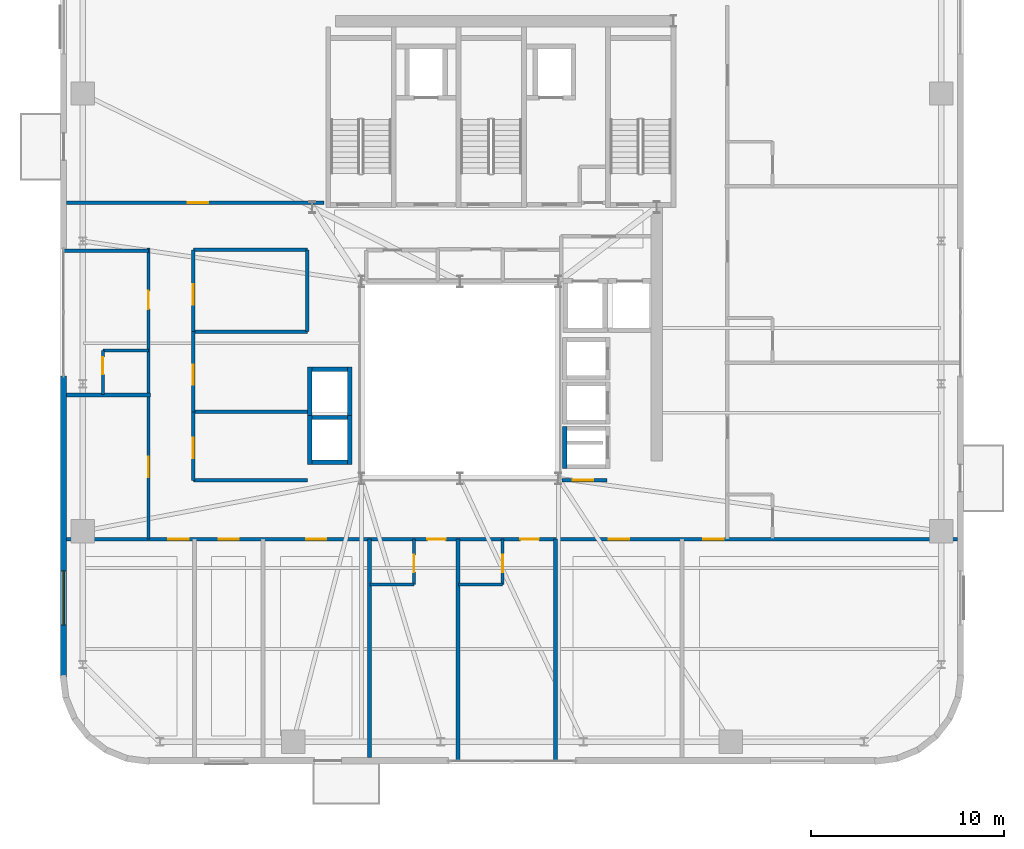
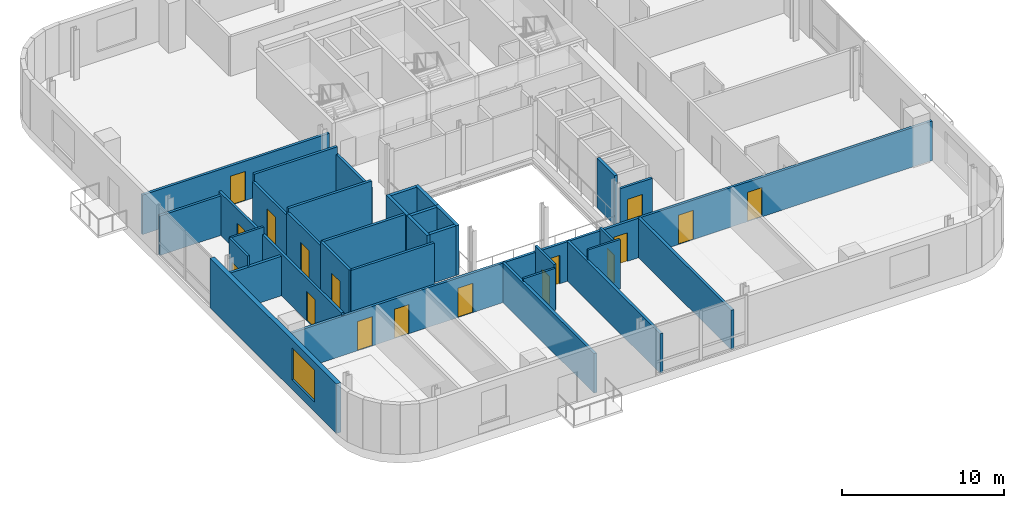
# One storey, part 8 of 15: 32 walls, 17 doors, 1 window, 18 openings.
"""IFC4 building model written with IfcOpenShell, lengths in metres."""

from ifc_helpers import new_model, si_unit, direction, frame, frame_2d, origin, place, context, subcontext, project, spatial, rectangle, extrude, source, transform, mapped, material, layer, layer_set, type_object, element, fill, save


model = new_model("IFC4")

# Units and contexts
model_context = context("Model", 3, precision=1e-05, world=origin(), true_north=direction((0.0, 1.0)))
body_context = subcontext(model_context, "Body", "Model", "MODEL_VIEW")
ifc_project = project(units=[si_unit("LENGTHUNIT", "METRE"), si_unit("AREAUNIT", "SQUARE_METRE"), si_unit("VOLUMEUNIT", "CUBIC_METRE"), si_unit("PLANEANGLEUNIT", "RADIAN"), si_unit("MASSUNIT", "GRAM", prefix="KILO")], contexts=[model_context])

# Site, building, storey
site_placement = place(None, origin())
site = spatial("IfcSite", under=ifc_project, at=site_placement, CompositionType="ELEMENT")
building_placement = place(site_placement, origin())
building = spatial("IfcBuilding", under=site, at=building_placement, Name="Vardaveli Station Tower", CompositionType="ELEMENT")
storey_placement = place(building_placement, frame((0.0, 0.0, 242.699951171875)))
storey = spatial("IfcBuildingStorey", under=building, at=storey_placement, Name="L62", CompositionType="ELEMENT", Elevation=242.699951171875)

# Wall, opening, window
ifc_material_1 = material(Name="Precast concrete C45/55", Category="concrete")
ifc_layer_1 = layer(ifc_material_1, 0.320068359375, Name="Precast concrete C45/55")
ifc_layer_set_1 = layer_set([ifc_layer_1], Name="Precast concrete C45/55")
wall_type_1 = type_object("IfcWallType", Name="WAL-EXT-STONE-320", PredefinedType="SOLIDWALL", material=ifc_layer_set_1)
shared_shape_1 = source(origin(), body_context, "Body", "SweptSolid", [
    extrude(rectangle(XDim=15.599853515625, YDim=0.320068359375, at=frame_2d((7.7998046875, 0.0))), origin(), (0.0, 0.0, 1.0), 3.72998046875),
])
wall_1_placement = place(storey_placement, frame((15.760009765625, 21.89990234375, 0.0), z_axis=(0.0, 0.0, 1.0), x_axis=(0.0, -1.0, 0.0)))
wall_1 = element("IfcWall", 1, at=wall_1_placement, inside=storey, type_object=wall_type_1, Name="EW-L62-W2", PredefinedType="SOLIDWALL", context=body_context, shape_type="MappedRepresentation", body=[
    mapped(shared_shape_1, transform((0.0, 0.0, 0.0), scale=1.0)),
])
shared_shape_2 = source(origin(), body_context, "Body", "SweptSolid", [
    extrude(rectangle(XDim=2.800048828125, YDim=2.39990234375, at=frame_2d((1.39990234375, 1.199951171875))), frame((0.0, 0.169921875, 0.0), z_axis=(0.0, -1.0, 0.0), x_axis=(1.0, 0.0, 0.0)), (0.0, 0.0, 1.0), 0.340087890625),
])
opening_1_placement = place(wall_1_placement, frame((10.094970703125, 0.0, 0.719970703125)))
opening_1 = element("IfcOpeningElement", 2, at=opening_1_placement, cuts=wall_1, Name="Opening W-04", PredefinedType="OPENING", context=body_context, shape_type="MappedRepresentation", body=[
    mapped(shared_shape_2, transform((0.0, 0.0, 0.0), scale=1.0)),
])
ifc_material_2 = material(Name="Low-E solar-control glass", Category="glass")
window_type = type_object("IfcWindowType", Name="WIN-SUITE-2800x2400", PartitioningType="SINGLE_PANEL", PredefinedType="WINDOW", material=ifc_material_2)
shared_shape_3 = source(origin(), body_context, "Body", "SweptSolid", [
    extrude(rectangle(XDim=2.800048828125, YDim=2.39990234375, at=frame_2d((1.39990234375, 1.199951171875))), frame((0.0, 0.030029296875, 0.0), z_axis=(0.0, -1.0, 0.0), x_axis=(1.0, 0.0, 0.0)), (0.0, 0.0, 1.0), 0.06005859375),
])
window_placement = place(opening_1_placement, origin())
window = element("IfcWindow", 3, at=window_placement, inside=storey, type_object=window_type, Name="WN-L62-W2", OverallHeight=2.39990234375, OverallWidth=2.800048828125, PartitioningType="SINGLE_PANEL", PredefinedType="WINDOW", context=body_context, shape_type="MappedRepresentation", body=[
    mapped(shared_shape_3, transform((0.0, 0.0, 0.0), scale=1.0)),
])
fill(opening_1, window)

# Walls
ifc_material_3 = material(Name="Concrete C40/50", Category="concrete")
ifc_layer_2 = layer(ifc_material_3, 0.219970703125, Name="Concrete C40/50")
ifc_layer_set_2 = layer_set([ifc_layer_2], Name="Concrete C40/50")
wall_type_2 = type_object("IfcWallType", Name="WAL-FFLOBBY-220", PredefinedType="SOLIDWALL", material=ifc_layer_set_2)
shared_shape_4 = source(origin(), body_context, "Body", "SweptSolid", [
    extrude(rectangle(XDim=2.18994140625, YDim=0.219970703125, at=frame_2d((1.094970703125, 0.0))), origin(), (0.0, 0.0, 1.0), 3.72998046875),
])
wall_2_placement = place(storey_placement, frame((41.739990234375, 17.10498046875, 0.0), z_axis=(0.0, 0.0, 1.0), x_axis=(0.0, 1.0, 0.0)))
element("IfcWall", 4, at=wall_2_placement, inside=storey, type_object=wall_type_2, Name="SHW-HL3-03-L62-W", PredefinedType="SOLIDWALL", context=body_context, shape_type="MappedRepresentation", body=[
    mapped(shared_shape_4, transform((0.0, 0.0, 0.0), scale=1.0)),
])
shared_shape_5 = source(origin(), body_context, "Body", "SweptSolid", [
    extrude(rectangle(XDim=1.85009765625, YDim=0.219970703125, at=frame_2d((0.925048828125, 0.0))), origin(), (0.0, 0.0, 1.0), 3.72998046875),
])
for number, where, z_axis, x_axis, name in (
    (5, (28.625, 17.43994140625, 0.0), (0.0, 0.0, 1.0), (1.0, 0.0, 0.0), "SHW-OBS-01-L62-S"),
    (6, (28.625, 19.760009765625, 0.0), (0.0, 0.0, 1.0), (1.0, 0.0, 0.0), "SHW-OBS-01-L62-N"),
    (7, (28.625, 22.260009765625, 0.0), (0.0, 0.0, 1.0), (1.0, 0.0, 0.0), "SHW-OBS-02-L62-N"),
):
    element("IfcWall", number, at=place(storey_placement, frame(where, z_axis=z_axis, x_axis=x_axis)), inside=storey, type_object=wall_type_2, Name=name, PredefinedType="SOLIDWALL", context=body_context, shape_type="MappedRepresentation", body=[
        mapped(shared_shape_5, transform((0.0, 0.0, 0.0), scale=1.0)),
    ])
shared_shape_6 = source(origin(), body_context, "Body", "SweptSolid", [
    extrude(rectangle(XDim=2.5400390625, YDim=0.219970703125, at=frame_2d((1.27001953125, 0.0))), origin(), (0.0, 0.0, 1.0), 3.72998046875),
])
for number, where, z_axis, x_axis, name in (
    (8, (28.514892578125, 17.330078125, 0.0), (0.0, 0.0, 1.0), (0.0, 1.0, 0.0), "SHW-OBS-01-L62-W"),
    (9, (30.5849609375, 17.330078125, 0.0), (0.0, 0.0, 1.0), (0.0, 1.0, 0.0), "SHW-OBS-01-L62-E"),
    (10, (28.514892578125, 19.830078125, 0.0), (0.0, 0.0, 1.0), (0.0, 1.0, 0.0), "SHW-OBS-02-L62-W"),
    (11, (30.5849609375, 19.830078125, 0.0), (0.0, 0.0, 1.0), (0.0, 1.0, 0.0), "SHW-OBS-02-L62-E"),
):
    element("IfcWall", number, at=place(storey_placement, frame(where, z_axis=z_axis, x_axis=x_axis)), inside=storey, type_object=wall_type_2, Name=name, PredefinedType="SOLIDWALL", context=body_context, shape_type="MappedRepresentation", body=[
        mapped(shared_shape_6, transform((0.0, 0.0, 0.0), scale=1.0)),
    ])

# Wall, openings, doors
ifc_material_4 = material(Name="Fire-rated gypsum stud partition")
ifc_layer_3 = layer(ifc_material_4, 0.179931640625, Name="Fire-rated gypsum stud partition")
ifc_layer_set_3 = layer_set([ifc_layer_3], Name="Fire-rated gypsum stud partition")
wall_type_3 = type_object("IfcWallType", Name="WAL-CORR-180", PredefinedType="PARTITIONING", material=ifc_layer_set_3)
shared_shape_7 = source(origin(), body_context, "Body", "SweptSolid", [
    extrude(rectangle(XDim=46.15576171875, YDim=0.179931640625, at=frame_2d((23.077880859375, 0.0))), origin(), (0.0, 0.0, 1.0), 2.97216796875),
])
wall_3_placement = place(storey_placement, frame((15.922119140625, 13.449951171875, 0.0), z_axis=(0.0, 0.0, 1.0), x_axis=(1.0, 0.0, 0.0)))
wall_3 = element("IfcWall", 12, at=wall_3_placement, inside=storey, type_object=wall_type_3, Name="W-L62-CS", PredefinedType="PARTITIONING", context=body_context, shape_type="MappedRepresentation", body=[
    mapped(shared_shape_7, transform((0.0, 0.0, 0.0), scale=1.0)),
])
shared_shape_8 = source(origin(), body_context, "Body", "SweptSolid", [
    extrude(rectangle(XDim=1.050048828125, YDim=2.199951171875, at=frame_2d((0.52490234375, 1.10009765625))), frame((0.0, 0.10009765625, 0.0), z_axis=(0.0, -1.0, 0.0), x_axis=(1.0, 0.0, 0.0)), (0.0, 0.0, 1.0), 0.199951171875),
])
opening_2_placement = place(wall_3_placement, frame((5.263671875, 0.0, 0.0)))
opening_2 = element("IfcOpeningElement", 13, at=opening_2_placement, cuts=wall_3, Name="Opening D-05", PredefinedType="OPENING", context=body_context, shape_type="MappedRepresentation", body=[
    mapped(shared_shape_8, transform((0.0, 0.0, 0.0), scale=1.0)),
])
opening_3_placement = place(wall_3_placement, frame((7.8720703125, 0.0, 0.0)))
opening_3 = element("IfcOpeningElement", 14, at=opening_3_placement, cuts=wall_3, Name="Opening D-05", PredefinedType="OPENING", context=body_context, shape_type="MappedRepresentation", body=[
    mapped(shared_shape_8, transform((0.0, 0.0, 0.0), scale=1.0)),
])
opening_4_placement = place(wall_3_placement, frame((12.409423828125, 0.0, 0.0)))
opening_4 = element("IfcOpeningElement", 15, at=opening_4_placement, cuts=wall_3, Name="Opening D-05", PredefinedType="OPENING", context=body_context, shape_type="MappedRepresentation", body=[
    mapped(shared_shape_8, transform((0.0, 0.0, 0.0), scale=1.0)),
])
shared_shape_9 = source(origin(), body_context, "Body", "SweptSolid", [
    extrude(rectangle(XDim=0.949951171875, YDim=2.14990234375, at=frame_2d((0.47509765625, 1.074951171875))), frame((0.0, 0.10009765625, 0.0), z_axis=(0.0, -1.0, 0.0), x_axis=(1.0, 0.0, 0.0)), (0.0, 0.0, 1.0), 0.199951171875),
])
opening_5_placement = place(wall_3_placement, frame((18.69140625, 0.0, 0.0)))
opening_5 = element("IfcOpeningElement", 16, at=opening_5_placement, cuts=wall_3, Name="Opening D-06", PredefinedType="OPENING", context=body_context, shape_type="MappedRepresentation", body=[
    mapped(shared_shape_9, transform((0.0, 0.0, 0.0), scale=1.0)),
])
opening_6_placement = place(wall_3_placement, frame((23.517578125, 0.0, 0.0)))
opening_6 = element("IfcOpeningElement", 17, at=opening_6_placement, cuts=wall_3, Name="Opening D-06", PredefinedType="OPENING", context=body_context, shape_type="MappedRepresentation", body=[
    mapped(shared_shape_9, transform((0.0, 0.0, 0.0), scale=1.0)),
])
opening_7_placement = place(wall_3_placement, frame((28.099609375, 0.0, 0.0)))
opening_7 = element("IfcOpeningElement", 18, at=opening_7_placement, cuts=wall_3, Name="Opening D-05", PredefinedType="OPENING", context=body_context, shape_type="MappedRepresentation", body=[
    mapped(shared_shape_8, transform((0.0, 0.0, 0.0), scale=1.0)),
])
opening_8_placement = place(wall_3_placement, frame((32.998046875, 0.0, 0.0)))
opening_8 = element("IfcOpeningElement", 19, at=opening_8_placement, cuts=wall_3, Name="Opening D-05", PredefinedType="OPENING", context=body_context, shape_type="MappedRepresentation", body=[
    mapped(shared_shape_8, transform((0.0, 0.0, 0.0), scale=1.0)),
])
ifc_material_5 = material(Name="Walnut veneer acoustic fire door")
door_type_1 = type_object("IfcDoorType", Name="DR-SUITE-1050x2200", OperationType="NOTDEFINED", PredefinedType="DOOR", material=ifc_material_5)
shared_shape_10 = source(origin(), body_context, "Body", "SweptSolid", [
    extrude(rectangle(XDim=1.050048828125, YDim=2.199951171875, at=frame_2d((0.52490234375, 1.10009765625))), frame((0.0, 0.02490234375, 0.0), z_axis=(0.0, -1.0, 0.0), x_axis=(1.0, 0.0, 0.0)), (0.0, 0.0, 1.0), 0.050048828125),
])
door_1_placement = place(opening_2_placement, origin())
door_1 = element("IfcDoor", 20, at=door_1_placement, inside=storey, type_object=door_type_1, Name="D-L62-SA1", OperationType="SINGLE_SWING_LEFT", OverallHeight=2.199951171875, OverallWidth=1.050048828125, PredefinedType="DOOR", context=body_context, shape_type="MappedRepresentation", body=[
    mapped(shared_shape_10, transform((0.0, 0.0, 0.0), scale=1.0)),
])
fill(opening_2, door_1)
door_2_placement = place(opening_3_placement, origin())
door_2 = element("IfcDoor", 21, at=door_2_placement, inside=storey, type_object=door_type_1, Name="D-L62-SA2", OperationType="SINGLE_SWING_RIGHT", OverallHeight=2.199951171875, OverallWidth=1.050048828125, PredefinedType="DOOR", context=body_context, shape_type="MappedRepresentation", body=[
    mapped(shared_shape_10, transform((0.0, 0.0, 0.0), scale=1.0)),
])
fill(opening_3, door_2)
door_3_placement = place(opening_4_placement, origin())
door_3 = element("IfcDoor", 22, at=door_3_placement, inside=storey, type_object=door_type_1, Name="D-L62-SA3", OperationType="SINGLE_SWING_LEFT", OverallHeight=2.199951171875, OverallWidth=1.050048828125, PredefinedType="DOOR", context=body_context, shape_type="MappedRepresentation", body=[
    mapped(shared_shape_10, transform((0.0, 0.0, 0.0), scale=1.0)),
])
fill(opening_4, door_3)
door_4_placement = place(opening_7_placement, origin())
door_4 = element("IfcDoor", 23, at=door_4_placement, inside=storey, type_object=door_type_1, Name="D-L62-SA6", OperationType="SINGLE_SWING_RIGHT", OverallHeight=2.199951171875, OverallWidth=1.050048828125, PredefinedType="DOOR", context=body_context, shape_type="MappedRepresentation", body=[
    mapped(shared_shape_10, transform((0.0, 0.0, 0.0), scale=1.0)),
])
fill(opening_7, door_4)
door_5_placement = place(opening_8_placement, origin())
door_5 = element("IfcDoor", 24, at=door_5_placement, inside=storey, type_object=door_type_1, Name="D-L62-SA7", OperationType="SINGLE_SWING_LEFT", OverallHeight=2.199951171875, OverallWidth=1.050048828125, PredefinedType="DOOR", context=body_context, shape_type="MappedRepresentation", body=[
    mapped(shared_shape_10, transform((0.0, 0.0, 0.0), scale=1.0)),
])
fill(opening_8, door_5)
ifc_material_6 = material(Name="Oak veneer acoustic fire door")
door_type_2 = type_object("IfcDoorType", Name="DR-GUEST-950x2150", OperationType="NOTDEFINED", PredefinedType="DOOR", material=ifc_material_6)
shared_shape_11 = source(origin(), body_context, "Body", "SweptSolid", [
    extrude(rectangle(XDim=0.949951171875, YDim=2.14990234375, at=frame_2d((0.47509765625, 1.074951171875))), frame((0.0, 0.02490234375, 0.0), z_axis=(0.0, -1.0, 0.0), x_axis=(1.0, 0.0, 0.0)), (0.0, 0.0, 1.0), 0.050048828125),
])
door_6_placement = place(opening_5_placement, origin())
door_6 = element("IfcDoor", 25, at=door_6_placement, inside=storey, type_object=door_type_2, Name="D-L62-GS4", OperationType="SINGLE_SWING_RIGHT", OverallHeight=2.14990234375, OverallWidth=0.949951171875, PredefinedType="DOOR", context=body_context, shape_type="MappedRepresentation", body=[
    mapped(shared_shape_11, transform((0.0, 0.0, 0.0), scale=1.0)),
])
fill(opening_5, door_6)
door_7_placement = place(opening_6_placement, origin())
door_7 = element("IfcDoor", 26, at=door_7_placement, inside=storey, type_object=door_type_2, Name="D-L62-GS5", OperationType="SINGLE_SWING_LEFT", OverallHeight=2.14990234375, OverallWidth=0.949951171875, PredefinedType="DOOR", context=body_context, shape_type="MappedRepresentation", body=[
    mapped(shared_shape_11, transform((0.0, 0.0, 0.0), scale=1.0)),
])
fill(opening_6, door_7)

shared_shape_12 = source(origin(), body_context, "Body", "SweptSolid", [
    extrude(rectangle(XDim=15.10009765625, YDim=0.179931640625, at=frame_2d((7.550048828125, 0.0))), origin(), (0.0, 0.0, 1.0), 3.172119140625),
])
wall_4_placement = place(storey_placement, frame((20.159912109375, 13.449951171875, 0.0), z_axis=(0.0, 0.0, 1.0), x_axis=(0.0, 1.0, 0.0)))
wall_4 = element("IfcWall", 27, at=wall_4_placement, inside=storey, type_object=wall_type_3, Name="W-L62-CW", PredefinedType="PARTITIONING", context=body_context, shape_type="MappedRepresentation", body=[
    mapped(shared_shape_12, transform((0.0, 0.0, 0.0), scale=1.0)),
])
opening_9_placement = place(wall_4_placement, frame((3.217529296875, 0.0, 0.0)))
opening_9 = element("IfcOpeningElement", 28, at=opening_9_placement, cuts=wall_4, Name="Opening D-05", PredefinedType="OPENING", context=body_context, shape_type="MappedRepresentation", body=[
    mapped(shared_shape_8, transform((0.0, 0.0, 0.0), scale=1.0)),
])
opening_10_placement = place(wall_4_placement, frame((11.91748046875, 0.0, 0.0)))
opening_10 = element("IfcOpeningElement", 29, at=opening_10_placement, cuts=wall_4, Name="Opening D-06", PredefinedType="OPENING", context=body_context, shape_type="MappedRepresentation", body=[
    mapped(shared_shape_9, transform((0.0, 0.0, 0.0), scale=1.0)),
])
door_8_placement = place(opening_9_placement, origin())
door_8 = element("IfcDoor", 30, at=door_8_placement, inside=storey, type_object=door_type_1, Name="D-L62-GW1", OperationType="SINGLE_SWING_RIGHT", OverallHeight=2.199951171875, OverallWidth=1.050048828125, PredefinedType="DOOR", context=body_context, shape_type="MappedRepresentation", body=[
    mapped(shared_shape_10, transform((0.0, 0.0, 0.0), scale=1.0)),
])
fill(opening_9, door_8)
door_9_placement = place(opening_10_placement, origin())
door_9 = element("IfcDoor", 31, at=door_9_placement, inside=storey, type_object=door_type_2, Name="D-L62-GW2", OperationType="SINGLE_SWING_LEFT", OverallHeight=2.14990234375, OverallWidth=0.949951171875, PredefinedType="DOOR", context=body_context, shape_type="MappedRepresentation", body=[
    mapped(shared_shape_11, transform((0.0, 0.0, 0.0), scale=1.0)),
])
fill(opening_10, door_9)

# Wall, opening, door
shared_shape_13 = source(origin(), body_context, "Body", "SweptSolid", [
    extrude(rectangle(XDim=13.327880859375, YDim=0.179931640625, at=frame_2d((6.6640625, 0.0))), origin(), (0.0, 0.0, 1.0), 2.97216796875),
])
wall_5_placement = place(storey_placement, frame((15.922119140625, 30.8798828125, 0.0), z_axis=(0.0, 0.0, 1.0), x_axis=(1.0, 0.0, 0.0)))
wall_5 = element("IfcWall", 32, at=wall_5_placement, inside=storey, type_object=wall_type_3, Name="W-L62-CNWS", PredefinedType="PARTITIONING", context=body_context, shape_type="MappedRepresentation", body=[
    mapped(shared_shape_13, transform((0.0, 0.0, 0.0), scale=1.0)),
])
opening_11_placement = place(wall_5_placement, frame((6.278076171875, 0.0, 0.0)))
opening_11 = element("IfcOpeningElement", 33, at=opening_11_placement, cuts=wall_5, Name="Opening D-05", PredefinedType="OPENING", context=body_context, shape_type="MappedRepresentation", body=[
    mapped(shared_shape_8, transform((0.0, 0.0, 0.0), scale=1.0)),
])
door_10_placement = place(opening_11_placement, origin())
door_10 = element("IfcDoor", 34, at=door_10_placement, inside=storey, type_object=door_type_1, Name="D-L62-GNW1", OperationType="SINGLE_SWING_RIGHT", OverallHeight=2.199951171875, OverallWidth=1.050048828125, PredefinedType="DOOR", context=body_context, shape_type="MappedRepresentation", body=[
    mapped(shared_shape_10, transform((0.0, 0.0, 0.0), scale=1.0)),
])
fill(opening_11, door_10)

shared_shape_14 = source(origin(), body_context, "Body", "SweptSolid", [
    extrude(rectangle(XDim=4.239990234375, YDim=0.179931640625, at=frame_2d((2.1201171875, 0.0))), origin(), (0.0, 0.0, 1.0), 3.172119140625),
])
wall_6_placement = place(storey_placement, frame((22.47998046875, 24.199951171875, 0.0), z_axis=(0.0, 0.0, 1.0), x_axis=(0.0, 1.0, 0.0)))
wall_6 = element("IfcWall", 35, at=wall_6_placement, inside=storey, type_object=wall_type_3, Name="W-L62-ATWC-W", PredefinedType="PARTITIONING", context=body_context, shape_type="MappedRepresentation", body=[
    mapped(shared_shape_14, transform((0.0, 0.0, 0.0), scale=1.0)),
])
opening_12_placement = place(wall_6_placement, frame((1.39990234375, 0.0, 0.0)))
opening_12 = element("IfcOpeningElement", 36, at=opening_12_placement, cuts=wall_6, Name="Opening D-05", PredefinedType="OPENING", context=body_context, shape_type="MappedRepresentation", body=[
    mapped(shared_shape_8, transform((0.0, 0.0, 0.0), scale=1.0)),
])
door_11_placement = place(opening_12_placement, origin())
door_11 = element("IfcDoor", 37, at=door_11_placement, inside=storey, type_object=door_type_1, Name="D-L62-ATW3", OperationType="SINGLE_SWING_RIGHT", OverallHeight=2.199951171875, OverallWidth=1.050048828125, PredefinedType="DOOR", context=body_context, shape_type="MappedRepresentation", body=[
    mapped(shared_shape_10, transform((0.0, 0.0, 0.0), scale=1.0)),
])
fill(opening_12, door_11)

# Wall
wall_7_placement = place(storey_placement, frame((28.39990234375, 24.199951171875, 0.0), z_axis=(0.0, 0.0, 1.0), x_axis=(0.0, 1.0, 0.0)))
element("IfcWall", 38, at=wall_7_placement, inside=storey, type_object=wall_type_3, Name="W-L62-ATWC-E", PredefinedType="PARTITIONING", context=body_context, shape_type="MappedRepresentation", body=[
    mapped(shared_shape_14, transform((0.0, 0.0, 0.0), scale=1.0)),
])

# Wall, opening, door
shared_shape_15 = source(origin(), body_context, "Body", "SweptSolid", [
    extrude(rectangle(XDim=4.14990234375, YDim=0.179931640625, at=frame_2d((2.074951171875, 0.0))), origin(), (0.0, 0.0, 1.0), 3.422119140625),
])
wall_8_placement = place(storey_placement, frame((22.47998046875, 20.050048828125, 0.0), z_axis=(0.0, 0.0, 1.0), x_axis=(0.0, 1.0, 0.0)))
wall_8 = element("IfcWall", 39, at=wall_8_placement, inside=storey, type_object=wall_type_3, Name="W-L62-ATWB-W", PredefinedType="PARTITIONING", context=body_context, shape_type="MappedRepresentation", body=[
    mapped(shared_shape_15, transform((0.0, 0.0, 0.0), scale=1.0)),
])
opening_13_placement = place(wall_8_placement, frame((1.39990234375, 0.0, 0.0)))
opening_13 = element("IfcOpeningElement", 40, at=opening_13_placement, cuts=wall_8, Name="Opening D-05", PredefinedType="OPENING", context=body_context, shape_type="MappedRepresentation", body=[
    mapped(shared_shape_8, transform((0.0, 0.0, 0.0), scale=1.0)),
])
door_12_placement = place(opening_13_placement, origin())
door_12 = element("IfcDoor", 41, at=door_12_placement, inside=storey, type_object=door_type_1, Name="D-L62-ATW2", OperationType="SINGLE_SWING_LEFT", OverallHeight=2.199951171875, OverallWidth=1.050048828125, PredefinedType="DOOR", context=body_context, shape_type="MappedRepresentation", body=[
    mapped(shared_shape_10, transform((0.0, 0.0, 0.0), scale=1.0)),
])
fill(opening_13, door_12)

shared_shape_16 = source(origin(), body_context, "Body", "SweptSolid", [
    extrude(rectangle(XDim=3.550048828125, YDim=0.179931640625, at=frame_2d((1.77490234375, 0.0))), origin(), (0.0, 0.0, 1.0), 3.72998046875),
])
wall_9_placement = place(storey_placement, frame((22.47998046875, 16.5, 0.0), z_axis=(0.0, 0.0, 1.0), x_axis=(0.0, 1.0, 0.0)))
wall_9 = element("IfcWall", 42, at=wall_9_placement, inside=storey, type_object=wall_type_3, Name="W-L62-ATWA-W", PredefinedType="PARTITIONING", context=body_context, shape_type="MappedRepresentation", body=[
    mapped(shared_shape_16, transform((0.0, 0.0, 0.0), scale=1.0)),
])
opening_14_placement = place(wall_9_placement, frame((1.14990234375, 0.0, 0.0)))
opening_14 = element("IfcOpeningElement", 43, at=opening_14_placement, cuts=wall_9, Name="Opening D-05", PredefinedType="OPENING", context=body_context, shape_type="MappedRepresentation", body=[
    mapped(shared_shape_8, transform((0.0, 0.0, 0.0), scale=1.0)),
])
door_13_placement = place(opening_14_placement, origin())
door_13 = element("IfcDoor", 44, at=door_13_placement, inside=storey, type_object=door_type_1, Name="D-L62-ATW1", OperationType="SINGLE_SWING_LEFT", OverallHeight=2.199951171875, OverallWidth=1.050048828125, PredefinedType="DOOR", context=body_context, shape_type="MappedRepresentation", body=[
    mapped(shared_shape_10, transform((0.0, 0.0, 0.0), scale=1.0)),
])
fill(opening_14, door_13)

ifc_material_7 = material(Name="Moisture-resistant stud partition")
ifc_layer_4 = layer(ifc_material_7, 0.14990234375, Name="Moisture-resistant stud partition")
ifc_layer_set_4 = layer_set([ifc_layer_4], Name="Moisture-resistant stud partition")
wall_type_4 = type_object("IfcWallType", Name="WAL-WET-150", PredefinedType="PARTITIONING", material=ifc_layer_set_4)
shared_shape_17 = source(origin(), body_context, "Body", "SweptSolid", [
    extrude(rectangle(XDim=2.35986328125, YDim=0.14990234375, at=frame_2d((1.179931640625, 0.0))), origin(), (0.0, 0.0, 1.0), 3.422119140625),
])
wall_10_placement = place(storey_placement, frame((33.919921875, 11.090087890625, 0.0), z_axis=(0.0, 0.0, 1.0), x_axis=(0.0, 1.0, 0.0)))
wall_10 = element("IfcWall", 45, at=wall_10_placement, inside=storey, type_object=wall_type_4, Name="W-L62-BS4-E", PredefinedType="PARTITIONING", context=body_context, shape_type="MappedRepresentation", body=[
    mapped(shared_shape_17, transform((0.0, 0.0, 0.0), scale=1.0)),
])
shared_shape_18 = source(origin(), body_context, "Body", "SweptSolid", [
    extrude(rectangle(XDim=0.89990234375, YDim=2.10009765625, at=frame_2d((0.449951171875, 1.050048828125))), frame((0.0, 0.0849609375, 0.0), z_axis=(0.0, -1.0, 0.0), x_axis=(1.0, 0.0, 0.0)), (0.0, 0.0, 1.0), 0.169921875),
])
opening_15_placement = place(wall_10_placement, frame((0.64990234375, 0.0, 0.0)))
opening_15 = element("IfcOpeningElement", 46, at=opening_15_placement, cuts=wall_10, Name="Opening D-08", PredefinedType="OPENING", context=body_context, shape_type="MappedRepresentation", body=[
    mapped(shared_shape_18, transform((0.0, 0.0, 0.0), scale=1.0)),
])
ifc_material_8 = material(Name="Moisture-resistant oak door")
door_type_3 = type_object("IfcDoorType", Name="DR-BATH-900x2100", OperationType="NOTDEFINED", PredefinedType="DOOR", material=ifc_material_8)
shared_shape_19 = source(origin(), body_context, "Body", "SweptSolid", [
    extrude(rectangle(XDim=0.89990234375, YDim=2.10009765625, at=frame_2d((0.449951171875, 1.050048828125))), frame((0.0, 0.02490234375, 0.0), z_axis=(0.0, -1.0, 0.0), x_axis=(1.0, 0.0, 0.0)), (0.0, 0.0, 1.0), 0.050048828125),
])
door_14_placement = place(opening_15_placement, origin())
door_14 = element("IfcDoor", 47, at=door_14_placement, inside=storey, type_object=door_type_3, Name="D-L62-BS4", OperationType="SINGLE_SWING_LEFT", OverallHeight=2.10009765625, OverallWidth=0.89990234375, PredefinedType="DOOR", context=body_context, shape_type="MappedRepresentation", body=[
    mapped(shared_shape_19, transform((0.0, 0.0, 0.0), scale=1.0)),
])
fill(opening_15, door_14)

shared_shape_20 = source(origin(), body_context, "Body", "SweptSolid", [
    extrude(rectangle(XDim=2.35986328125, YDim=0.14990234375, at=frame_2d((1.179931640625, 0.0))), origin(), (0.0, 0.0, 1.0), 3.172119140625),
])
wall_11_placement = place(storey_placement, frame((38.51611328125, 11.090087890625, 0.0), z_axis=(0.0, 0.0, 1.0), x_axis=(0.0, 1.0, 0.0)))
wall_11 = element("IfcWall", 48, at=wall_11_placement, inside=storey, type_object=wall_type_4, Name="W-L62-BS5-E", PredefinedType="PARTITIONING", context=body_context, shape_type="MappedRepresentation", body=[
    mapped(shared_shape_20, transform((0.0, 0.0, 0.0), scale=1.0)),
])
opening_16_placement = place(wall_11_placement, frame((0.64990234375, 0.0, 0.0)))
opening_16 = element("IfcOpeningElement", 49, at=opening_16_placement, cuts=wall_11, Name="Opening D-08", PredefinedType="OPENING", context=body_context, shape_type="MappedRepresentation", body=[
    mapped(shared_shape_18, transform((0.0, 0.0, 0.0), scale=1.0)),
])
door_15_placement = place(opening_16_placement, origin())
door_15 = element("IfcDoor", 50, at=door_15_placement, inside=storey, type_object=door_type_3, Name="D-L62-BS5", OperationType="SINGLE_SWING_RIGHT", OverallHeight=2.10009765625, OverallWidth=0.89990234375, PredefinedType="DOOR", context=body_context, shape_type="MappedRepresentation", body=[
    mapped(shared_shape_19, transform((0.0, 0.0, 0.0), scale=1.0)),
])
fill(opening_16, door_15)

shared_shape_21 = source(origin(), body_context, "Body", "SweptSolid", [
    extrude(rectangle(XDim=2.329833984375, YDim=0.179931640625, at=frame_2d((1.1650390625, 0.0))), origin(), (0.0, 0.0, 1.0), 3.172119140625),
])
wall_12_placement = place(storey_placement, frame((41.60009765625, 16.5, 0.0), z_axis=(0.0, 0.0, 1.0), x_axis=(1.0, 0.0, 0.0)))
wall_12 = element("IfcWall", 51, at=wall_12_placement, inside=storey, type_object=wall_type_3, Name="W-L62-ATE-S", PredefinedType="PARTITIONING", context=body_context, shape_type="MappedRepresentation", body=[
    mapped(shared_shape_21, transform((0.0, 0.0, 0.0), scale=1.0)),
])
opening_17_placement = place(wall_12_placement, frame((0.550048828125, 0.0, 0.0)))
opening_17 = element("IfcOpeningElement", 52, at=opening_17_placement, cuts=wall_12, Name="Opening D-05", PredefinedType="OPENING", context=body_context, shape_type="MappedRepresentation", body=[
    mapped(shared_shape_8, transform((0.0, 0.0, 0.0), scale=1.0)),
])
door_16_placement = place(opening_17_placement, origin())
door_16 = element("IfcDoor", 53, at=door_16_placement, inside=storey, type_object=door_type_1, Name="D-L62-ATE1", OperationType="SINGLE_SWING_RIGHT", OverallHeight=2.199951171875, OverallWidth=1.050048828125, PredefinedType="DOOR", context=body_context, shape_type="MappedRepresentation", body=[
    mapped(shared_shape_10, transform((0.0, 0.0, 0.0), scale=1.0)),
])
fill(opening_17, door_16)

shared_shape_22 = source(origin(), body_context, "Body", "SweptSolid", [
    extrude(rectangle(XDim=2.2900390625, YDim=0.14990234375, at=frame_2d((1.14501953125, 0.0))), origin(), (0.0, 0.0, 1.0), 3.72998046875),
])
wall_13_placement = place(storey_placement, frame((17.800048828125, 20.945068359375, 0.0), z_axis=(0.0, 0.0, 1.0), x_axis=(0.0, 1.0, 0.0)))
wall_13 = element("IfcWall", 54, at=wall_13_placement, inside=storey, type_object=wall_type_4, Name="W-L62-BW2-W", PredefinedType="PARTITIONING", context=body_context, shape_type="MappedRepresentation", body=[
    mapped(shared_shape_22, transform((0.0, 0.0, 0.0), scale=1.0)),
])
opening_18_placement = place(wall_13_placement, frame((1.0400390625, 0.0, 0.0)))
opening_18 = element("IfcOpeningElement", 55, at=opening_18_placement, cuts=wall_13, Name="Opening D-08", PredefinedType="OPENING", context=body_context, shape_type="MappedRepresentation", body=[
    mapped(shared_shape_18, transform((0.0, 0.0, 0.0), scale=1.0)),
])
door_17_placement = place(opening_18_placement, origin())
door_17 = element("IfcDoor", 56, at=door_17_placement, inside=storey, type_object=door_type_3, Name="D-L62-BW2", OperationType="SINGLE_SWING_RIGHT", OverallHeight=2.10009765625, OverallWidth=0.89990234375, PredefinedType="DOOR", context=body_context, shape_type="MappedRepresentation", body=[
    mapped(shared_shape_19, transform((0.0, 0.0, 0.0), scale=1.0)),
])
fill(opening_18, door_17)

# Walls
wall_14_placement = place(storey_placement, frame((36.22607421875, 11.090087890625, 0.0), z_axis=(0.0, 0.0, 1.0), x_axis=(1.0, 0.0, 0.0)))
element("IfcWall", 57, at=wall_14_placement, inside=storey, type_object=wall_type_4, Name="W-L62-BS5-S", PredefinedType="PARTITIONING", context=body_context, shape_type="MappedRepresentation", body=[
    mapped(shared_shape_22, transform((0.0, 0.0, 0.0), scale=1.0)),
])
shared_shape_23 = source(origin(), body_context, "Body", "SweptSolid", [
    extrude(rectangle(XDim=2.2900390625, YDim=0.14990234375, at=frame_2d((1.14501953125, 0.0))), origin(), (0.0, 0.0, 1.0), 3.172119140625),
])
wall_15_placement = place(storey_placement, frame((31.6298828125, 11.090087890625, 0.0), z_axis=(0.0, 0.0, 1.0), x_axis=(1.0, 0.0, 0.0)))
element("IfcWall", 58, at=wall_15_placement, inside=storey, type_object=wall_type_4, Name="W-L62-BS4-S", PredefinedType="PARTITIONING", context=body_context, shape_type="MappedRepresentation", body=[
    mapped(shared_shape_23, transform((0.0, 0.0, 0.0), scale=1.0)),
])
ifc_material_9 = material(Name="Acoustic twin-stud gypsum partition")
ifc_layer_5 = layer(ifc_material_9, 0.199951171875, Name="Acoustic twin-stud gypsum partition")
ifc_layer_set_5 = layer_set([ifc_layer_5], Name="Acoustic twin-stud gypsum partition")
wall_type_5 = type_object("IfcWallType", Name="WAL-PARTY-200", PredefinedType="PARTITIONING", material=ifc_layer_set_5)
shared_shape_24 = source(origin(), body_context, "Body", "SweptSolid", [
    extrude(rectangle(XDim=11.327880859375, YDim=0.199951171875, at=frame_2d((5.6640625, 0.0))), origin(), (0.0, 0.0, 1.0), 2.97216796875),
])
wall_16_placement = place(storey_placement, frame((31.610107421875, 2.1220703125, 0.0), z_axis=(0.0, 0.0, 1.0), x_axis=(0.0, 1.0, 0.0)))
element("IfcWall", 59, at=wall_16_placement, inside=storey, type_object=wall_type_5, Name="W-L62-PS3", PredefinedType="PARTITIONING", context=body_context, shape_type="MappedRepresentation", body=[
    mapped(shared_shape_24, transform((0.0, 0.0, 0.0), scale=1.0)),
])
shared_shape_25 = source(origin(), body_context, "Body", "SweptSolid", [
    extrude(rectangle(XDim=11.52001953125, YDim=0.199951171875, at=frame_2d((5.760009765625, 0.0))), origin(), (0.0, 0.0, 1.0), 2.97216796875),
])
for number, where, z_axis, x_axis, name in (
    (60, (36.2060546875, 1.929931640625, 0.0), (0.0, 0.0, 1.0), (0.0, 1.0, 0.0), "W-L62-PS4"),
    (61, (41.262939453125, 1.929931640625, 0.0), (0.0, 0.0, 1.0), (0.0, 1.0, 0.0), "W-L62-PS5"),
):
    element("IfcWall", number, at=place(storey_placement, frame(where, z_axis=z_axis, x_axis=x_axis)), inside=storey, type_object=wall_type_5, Name=name, PredefinedType="PARTITIONING", context=body_context, shape_type="MappedRepresentation", body=[
        mapped(shared_shape_25, transform((0.0, 0.0, 0.0), scale=1.0)),
    ])
shared_shape_26 = source(origin(), body_context, "Body", "SweptSolid", [
    extrude(rectangle(XDim=5.919921875, YDim=0.179931640625, at=frame_2d((2.9599609375, 0.0))), origin(), (0.0, 0.0, 1.0), 3.72998046875),
])
for number, where, z_axis, x_axis, name in (
    (62, (22.47998046875, 16.5, 0.0), (0.0, 0.0, 1.0), (1.0, 0.0, 0.0), "W-L62-ATWA-S"),
    (63, (22.47998046875, 20.050048828125, 0.0), (0.0, 0.0, 1.0), (1.0, 0.0, 0.0), "W-L62-ATWA-N"),
    (64, (22.47998046875, 24.199951171875, 0.0), (0.0, 0.0, 1.0), (1.0, 0.0, 0.0), "W-L62-ATWB-N"),
    (65, (22.47998046875, 28.43994140625, 0.0), (0.0, 0.0, 1.0), (1.0, 0.0, 0.0), "W-L62-ATWC-N"),
):
    element("IfcWall", number, at=place(storey_placement, frame(where, z_axis=z_axis, x_axis=x_axis)), inside=storey, type_object=wall_type_3, Name=name, PredefinedType="PARTITIONING", context=body_context, shape_type="MappedRepresentation", body=[
        mapped(shared_shape_26, transform((0.0, 0.0, 0.0), scale=1.0)),
    ])
shared_shape_27 = source(origin(), body_context, "Body", "SweptSolid", [
    extrude(rectangle(XDim=4.337890625, YDim=0.199951171875, at=frame_2d((2.1689453125, 0.0))), origin(), (0.0, 0.0, 1.0), 2.97216796875),
])
wall_17_placement = place(storey_placement, frame((15.922119140625, 20.925048828125, 0.0), z_axis=(0.0, 0.0, 1.0), x_axis=(1.0, 0.0, 0.0)))
element("IfcWall", 66, at=wall_17_placement, inside=storey, type_object=wall_type_5, Name="W-L62-PW1", PredefinedType="PARTITIONING", context=body_context, shape_type="MappedRepresentation", body=[
    mapped(shared_shape_27, transform((0.0, 0.0, 0.0), scale=1.0)),
])
shared_shape_28 = source(origin(), body_context, "Body", "SweptSolid", [
    extrude(rectangle(XDim=4.429931640625, YDim=0.179931640625, at=frame_2d((2.21484375, 0.0))), origin(), (0.0, 0.0, 1.0), 2.97216796875),
])
wall_18_placement = place(storey_placement, frame((15.72998046875, 28.39990234375, 0.0), z_axis=(0.0, 0.0, 1.0), x_axis=(1.0, 0.0, 0.0)))
element("IfcWall", 67, at=wall_18_placement, inside=storey, type_object=wall_type_3, Name="W-L62-CWN", PredefinedType="PARTITIONING", context=body_context, shape_type="MappedRepresentation", body=[
    mapped(shared_shape_28, transform((0.0, 0.0, 0.0), scale=1.0)),
])
shared_shape_29 = source(origin(), body_context, "Body", "SweptSolid", [
    extrude(rectangle(XDim=2.35986328125, YDim=0.14990234375, at=frame_2d((1.179931640625, 0.0))), origin(), (0.0, 0.0, 1.0), 3.72998046875),
])
wall_19_placement = place(storey_placement, frame((17.800048828125, 23.235107421875, 0.0), z_axis=(0.0, 0.0, 1.0), x_axis=(1.0, 0.0, 0.0)))
element("IfcWall", 68, at=wall_19_placement, inside=storey, type_object=wall_type_4, Name="W-L62-BW2-N", PredefinedType="PARTITIONING", context=body_context, shape_type="MappedRepresentation", body=[
    mapped(shared_shape_29, transform((0.0, 0.0, 0.0), scale=1.0)),
])

save(model, "model.ifc")
